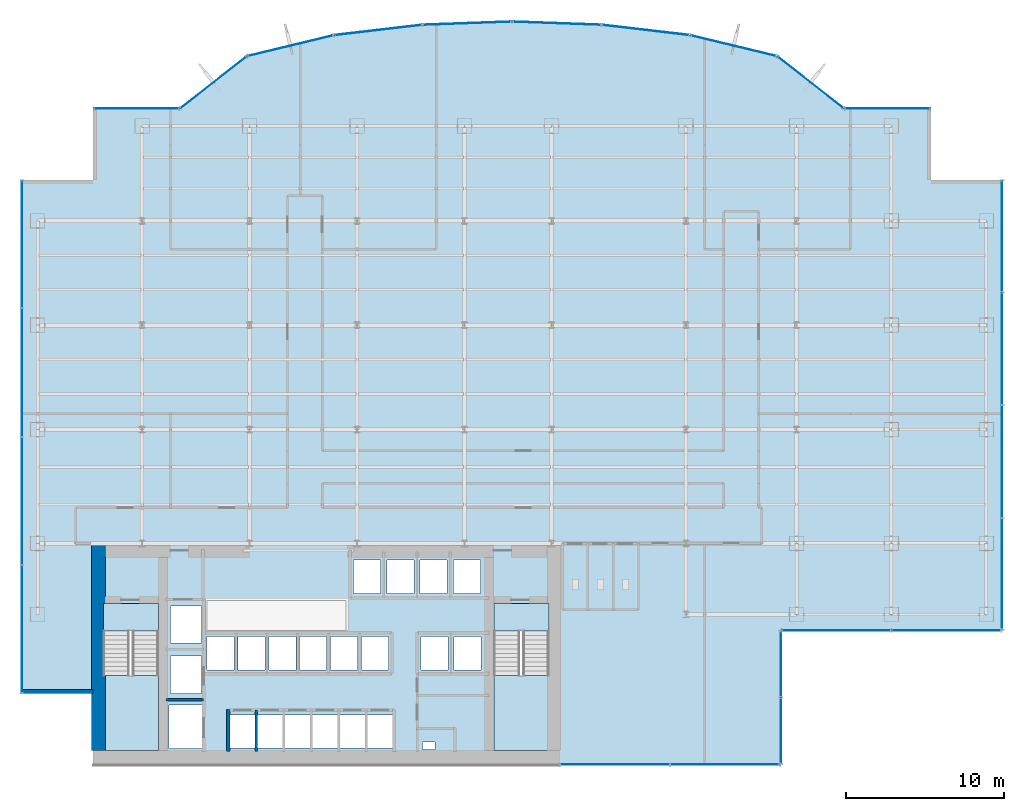
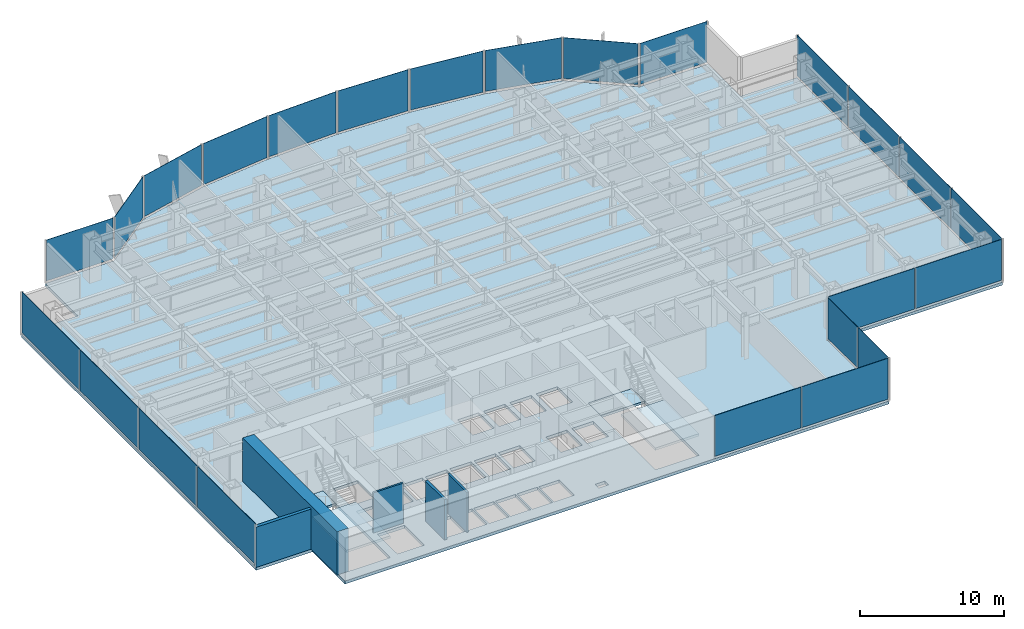
# One storey, part 16 of 22: 24 plates, 5 slabs, 5 walls, 17 elements without a shape of their own.
"""IFC4 building model written with IfcOpenShell, lengths in metres."""

from ifc_helpers import new_model, si_unit, derived_unit, direction, frame, frame_2d, origin, origin_2d, place, context, subcontext, project, spatial, polyline, rectangle, outline, extrude, source, transform, mapped, material, layer, layer_set, type_object, element, aggregate, save


model = new_model("IFC4")

# Units and contexts
model_context = context("Model", 3, precision=1e-05, world=origin(), true_north=direction((0.0, 1.0)))
body_context = subcontext(model_context, "Body", "Model", "MODEL_VIEW")
ifc_project = project(units=[si_unit("LENGTHUNIT", "METRE"), si_unit("AREAUNIT", "SQUARE_METRE"), si_unit("VOLUMEUNIT", "CUBIC_METRE"), si_unit("PLANEANGLEUNIT", "RADIAN"), si_unit("MASSUNIT", "GRAM", prefix="KILO"), derived_unit("THERMALTRANSMITTANCEUNIT", [(si_unit("POWERUNIT", "WATT"), 1), (si_unit("LENGTHUNIT", "METRE"), -2), (si_unit("THERMODYNAMICTEMPERATUREUNIT", "KELVIN"), -1)])], contexts=[model_context])

# Site, building, storey
site_placement = place(None, origin())
site = spatial("IfcSite", under=ifc_project, at=site_placement, CompositionType="ELEMENT")
building_placement = place(site_placement, origin())
building = spatial("IfcBuilding", under=site, at=building_placement, Name="Skarnbrae Concourse Arena and Tower", CompositionType="ELEMENT")
storey_placement = place(building_placement, frame((0.0, 0.0, 58.050048828125)))
storey = spatial("IfcBuildingStorey", under=building, at=storey_placement, Name="L13", CompositionType="ELEMENT", Elevation=58.050048828125)

# Stair, slab
ifc_material_1 = material(Name="Concrete 40 MPa (C40/50)", Category="concrete")
stair_type = type_object("IfcStairType", Name="STAIR-DOGLEG-1650", PredefinedType="HALF_TURN_STAIR", material=ifc_material_1)
stair_1_placement = place(storey_placement, origin())
stair_1 = element("IfcStair", 1, at=stair_1_placement, inside=storey, type_object=stair_type, Name="L13 Protected Exit Stair ST-1", PredefinedType="HALF_TURN_STAIR")
ifc_layer_1 = layer(ifc_material_1, 0.199951171875)
ifc_layer_set_1 = layer_set([ifc_layer_1], Name="Concrete 40 MPa (C40/50)")
slab_type_1 = type_object("IfcSlabType", Name="SLAB-LANDING-200", PredefinedType="LANDING", material=ifc_layer_set_1)
slab_1_placement = place(storey_placement, frame((0.0, 0.0, 1.625)))
slab_1 = element("IfcSlab", 2, at=slab_1_placement, type_object=slab_type_1, Name="ST-1 landing 1", PredefinedType="LANDING", context=body_context, shape_type="SweptSolid", body=[
    extrude(outline(polyline([(5.14990234375, 5.64990234375), (5.14990234375, 0.89990234375), (8.64990234375, 0.89990234375), (8.64990234375, 5.64990234375), (5.14990234375, 5.64990234375)])), origin(), (0.0, 0.0, 1.0), 0.199951171875),
])
aggregate(stair_1, [slab_1])

stair_2_placement = place(storey_placement, origin())
stair_2 = element("IfcStair", 3, at=stair_2_placement, inside=storey, type_object=stair_type, Name="L13 Protected Exit Stair ST-2", PredefinedType="HALF_TURN_STAIR")
slab_2_placement = place(storey_placement, frame((0.0, 0.0, 1.625)))
slab_2 = element("IfcSlab", 4, at=slab_2_placement, type_object=slab_type_1, Name="ST-2 landing 1", PredefinedType="LANDING", context=body_context, shape_type="SweptSolid", body=[
    extrude(outline(polyline([(29.85009765625, 5.64990234375), (29.85009765625, 0.89990234375), (33.35009765625, 0.89990234375), (33.35009765625, 5.64990234375), (29.85009765625, 5.64990234375)])), origin(), (0.0, 0.0, 1.0), 0.199951171875),
])
aggregate(stair_2, [slab_2])

# Slabs
slab_3_placement = place(storey_placement, frame((0.0, 0.0, -0.199951171875)))
element("IfcSlab", 5, at=slab_3_placement, inside=storey, type_object=slab_type_1, Name="L13 Core stair ST1 floor landing", PredefinedType="LANDING", context=body_context, shape_type="SweptSolid", body=[
    extrude(outline(polyline([(5.14990234375, 10.199951171875), (5.14990234375, 8.449951171875), (8.64990234375, 8.449951171875), (8.64990234375, 10.199951171875), (5.14990234375, 10.199951171875)])), origin(), (0.0, 0.0, 1.0), 0.199951171875),
])
slab_4_placement = place(storey_placement, frame((0.0, 0.0, -0.199951171875)))
element("IfcSlab", 6, at=slab_4_placement, inside=storey, type_object=slab_type_1, Name="L13 Core stair ST2 floor landing", PredefinedType="LANDING", context=body_context, shape_type="SweptSolid", body=[
    extrude(outline(polyline([(29.85009765625, 10.199951171875), (29.85009765625, 8.449951171875), (33.35009765625, 8.449951171875), (33.35009765625, 10.199951171875), (29.85009765625, 10.199951171875)])), origin(), (0.0, 0.0, 1.0), 0.199951171875),
])
ifc_layer_2 = layer(ifc_material_1, 0.25)
ifc_layer_set_2 = layer_set([ifc_layer_2], Name="Concrete 40 MPa (C40/50)")
slab_type_2 = type_object("IfcSlabType", Name="SLAB-TOWER-250", PredefinedType="FLOOR", material=ifc_layer_set_2)
slab_5_placement = place(storey_placement, frame((0.0, 0.0, -0.25)))
element("IfcSlab", 7, at=slab_5_placement, inside=storey, type_object=slab_type_2, Name="L13 Structural floor slab", PredefinedType="FLOOR", context=body_context, shape_type="SweptSolid", body=[
    extrude(outline(polyline([(4.5, 0.0), (48.0, 0.0), (48.0, 8.5), (62.0, 8.5), (62.0, 37.0), (57.5, 37.0), (57.5, 41.5), (52.0, 41.5), (47.766357421875, 44.811767578125), (42.2724609375, 46.140380859375), (36.65380859375, 46.796875), (31.0, 47.0), (25.34619140625, 46.796875), (19.7275390625, 46.140380859375), (14.233642578125, 44.811767578125), (10.0, 41.5), (4.5, 41.5), (4.5, 37.0), (0.0, 37.0), (0.0, 4.5), (4.5, 4.5), (4.5, 0.0)]), holes=[polyline([(13.14501953125, 3.155029296875), (14.7548828125, 3.155029296875), (14.7548828125, 1.044921875), (13.14501953125, 1.044921875), (13.14501953125, 3.155029296875)]), polyline([(16.4951171875, 3.155029296875), (16.4951171875, 1.044921875), (14.885009765625, 1.044921875), (14.885009765625, 3.155029296875), (16.4951171875, 3.155029296875)]), polyline([(18.235107421875, 3.155029296875), (18.235107421875, 1.044921875), (16.625, 1.044921875), (16.625, 3.155029296875), (18.235107421875, 3.155029296875)]), polyline([(18.364990234375, 3.155029296875), (19.97509765625, 3.155029296875), (19.97509765625, 1.044921875), (18.364990234375, 1.044921875), (18.364990234375, 3.155029296875)]), polyline([(11.455078125, 3.780029296875), (11.455078125, 1.02001953125), (9.294921875, 1.02001953125), (9.294921875, 3.780029296875), (11.455078125, 3.780029296875)]), polyline([(8.64990234375, 0.89990234375), (5.14990234375, 0.89990234375), (5.14990234375, 10.199951171875), (8.64990234375, 10.199951171875), (8.64990234375, 0.89990234375)]), polyline([(9.39501953125, 6.8798828125), (11.35498046875, 6.8798828125), (11.35498046875, 4.52001953125), (9.39501953125, 4.52001953125), (9.39501953125, 6.8798828125)]), polyline([(13.429931640625, 8.10498046875), (13.429931640625, 5.9951171875), (11.719970703125, 5.9951171875), (11.719970703125, 8.10498046875), (13.429931640625, 8.10498046875)]), polyline([(15.3798828125, 8.10498046875), (15.3798828125, 5.9951171875), (13.669921875, 5.9951171875), (13.669921875, 8.10498046875), (15.3798828125, 8.10498046875)]), polyline([(15.6201171875, 8.10498046875), (17.330078125, 8.10498046875), (17.330078125, 5.9951171875), (15.6201171875, 5.9951171875), (15.6201171875, 8.10498046875)]), polyline([(19.280029296875, 8.10498046875), (19.280029296875, 5.9951171875), (17.570068359375, 5.9951171875), (17.570068359375, 8.10498046875), (19.280029296875, 8.10498046875)]), polyline([(11.35498046875, 10.054931640625), (11.35498046875, 7.695068359375), (9.39501953125, 7.695068359375), (9.39501953125, 10.054931640625), (11.35498046875, 10.054931640625)]), polyline([(25.35009765625, 1.449951171875), (26.1201171875, 1.449951171875), (26.1201171875, 0.949951171875), (25.35009765625, 0.949951171875), (25.35009765625, 1.449951171875)]), polyline([(21.715087890625, 3.155029296875), (21.715087890625, 1.044921875), (20.10498046875, 1.044921875), (20.10498046875, 3.155029296875), (21.715087890625, 3.155029296875)]), polyline([(23.455078125, 3.155029296875), (23.455078125, 1.044921875), (21.844970703125, 1.044921875), (21.844970703125, 3.155029296875), (23.455078125, 3.155029296875)]), polyline([(33.35009765625, 10.199951171875), (33.35009765625, 0.89990234375), (29.85009765625, 0.89990234375), (29.85009765625, 10.199951171875), (33.35009765625, 10.199951171875)]), polyline([(21.22998046875, 8.10498046875), (21.22998046875, 5.9951171875), (19.52001953125, 5.9951171875), (19.52001953125, 8.10498046875), (21.22998046875, 8.10498046875)]), polyline([(23.179931640625, 8.10498046875), (23.179931640625, 5.9951171875), (21.469970703125, 5.9951171875), (21.469970703125, 8.10498046875), (23.179931640625, 8.10498046875)]), polyline([(25.235107421875, 8.10498046875), (26.945068359375, 8.10498046875), (26.945068359375, 5.9951171875), (25.235107421875, 5.9951171875), (25.235107421875, 8.10498046875)]), polyline([(29.044921875, 8.10498046875), (29.044921875, 5.9951171875), (27.3349609375, 5.9951171875), (27.3349609375, 8.10498046875), (29.044921875, 8.10498046875)]), polyline([(22.695068359375, 12.955078125), (22.695068359375, 10.844970703125), (20.985107421875, 10.844970703125), (20.985107421875, 12.955078125), (22.695068359375, 12.955078125)]), polyline([(23.0849609375, 12.955078125), (24.794921875, 12.955078125), (24.794921875, 10.844970703125), (23.0849609375, 10.844970703125), (23.0849609375, 12.955078125)]), polyline([(26.89501953125, 12.955078125), (26.89501953125, 10.844970703125), (25.18505859375, 10.844970703125), (25.18505859375, 12.955078125), (26.89501953125, 12.955078125)]), polyline([(28.9951171875, 12.955078125), (28.9951171875, 10.844970703125), (27.284912109375, 10.844970703125), (27.284912109375, 12.955078125), (28.9951171875, 12.955078125)])]), origin(), (0.0, 0.0, 1.0), 0.25),
])

# Curtain wall, plates
ifc_material_2 = material(Name="Bronze anodised aluminium 6063-T6", Category="aluminium")
curtain_wall_type_1 = type_object("IfcCurtainWallType", Name="CW-SYS-02-LOWZONE", PredefinedType="USERDEFINED", material=ifc_material_2)
curtain_wall_1_placement = place(storey_placement, origin())
curtain_wall_1 = element("IfcCurtainWall", 8, at=curtain_wall_1_placement, inside=storey, type_object=curtain_wall_type_1, Name="L13 Unitised curtain wall CW-L13-SE-SPINE", ObjectType="UNITISED CURTAIN WALL", PredefinedType="USERDEFINED")
ifc_material_3 = material(Name="Low-E triple insulating glass", Category="glass")
ifc_layer_3 = layer(ifc_material_3, 0.031982421875)
ifc_layer_set_3 = layer_set([ifc_layer_3], Name="Low-E triple insulating glass")
plate_type_1 = type_object("IfcPlateType", Name="CWP-CW-02", PredefinedType="CURTAIN_PANEL", material=ifc_layer_set_3)
shared_shape_1 = source(origin(), body_context, "Body", "SweptSolid", [
    extrude(rectangle(XDim=6.8798828125, YDim=0.031982421875, at=origin_2d()), origin(), (0.0, 0.0, 1.0), 3.4599609375),
])
plate_1_placement = place(storey_placement, frame((37.52001953125, 0.0, 0.18994140625), z_axis=(0.0, 0.0, 1.0), x_axis=(1.0, 0.0, 0.0)))
plate_1 = element("IfcPlate", 9, at=plate_1_placement, type_object=plate_type_1, Name="CW-L13-SE-SPINE Low-E Glazing Panel 1", PredefinedType="CURTAIN_PANEL", context=body_context, shape_type="MappedRepresentation", body=[
    mapped(shared_shape_1, transform((0.0, 0.0, 0.0))),
])
plate_2_placement = place(storey_placement, frame((44.47998046875, 0.0, 0.18994140625), z_axis=(0.0, 0.0, 1.0), x_axis=(1.0, 0.0, 0.0)))
plate_2 = element("IfcPlate", 10, at=plate_2_placement, type_object=plate_type_1, Name="CW-L13-SE-SPINE Low-E Glazing Panel 2", PredefinedType="CURTAIN_PANEL", context=body_context, shape_type="MappedRepresentation", body=[
    mapped(shared_shape_1, transform((0.0, 0.0, 0.0))),
])
aggregate(curtain_wall_1, [plate_1, plate_2])

curtain_wall_2_placement = place(storey_placement, origin())
curtain_wall_2 = element("IfcCurtainWall", 11, at=curtain_wall_2_placement, inside=storey, type_object=curtain_wall_type_1, Name="L13 Unitised curtain wall CW-L13-E03", ObjectType="UNITISED CURTAIN WALL", PredefinedType="USERDEFINED")
plate_3_placement = place(storey_placement, frame((51.52001953125, 8.5, 0.18994140625), z_axis=(0.0, 0.0, 1.0), x_axis=(1.0, 0.0, 0.0)))
plate_3 = element("IfcPlate", 12, at=plate_3_placement, type_object=plate_type_1, Name="CW-L13-E03 Low-E Glazing Panel 1", PredefinedType="CURTAIN_PANEL", context=body_context, shape_type="MappedRepresentation", body=[
    mapped(shared_shape_1, transform((0.0, 0.0, 0.0))),
])
plate_4_placement = place(storey_placement, frame((58.47998046875, 8.5, 0.18994140625), z_axis=(0.0, 0.0, 1.0), x_axis=(1.0, 0.0, 0.0)))
plate_4 = element("IfcPlate", 13, at=plate_4_placement, type_object=plate_type_1, Name="CW-L13-E03 Low-E Glazing Panel 2", PredefinedType="CURTAIN_PANEL", context=body_context, shape_type="MappedRepresentation", body=[
    mapped(shared_shape_1, transform((0.0, 0.0, 0.0))),
])
aggregate(curtain_wall_2, [plate_3, plate_4])

curtain_wall_3_placement = place(storey_placement, origin())
curtain_wall_3 = element("IfcCurtainWall", 14, at=curtain_wall_3_placement, inside=storey, type_object=curtain_wall_type_1, Name="L13 Unitised curtain wall CW-L13-E02", ObjectType="UNITISED CURTAIN WALL", PredefinedType="USERDEFINED")
shared_shape_2 = source(origin(), body_context, "Body", "SweptSolid", [
    extrude(rectangle(XDim=4.1298828125, YDim=0.031982421875, at=origin_2d()), origin(), (0.0, 0.0, 1.0), 3.4599609375),
])
plate_5_placement = place(storey_placement, frame((48.0, 2.14501953125, 0.18994140625), z_axis=(0.0, 0.0, 1.0), x_axis=(0.0, 1.0, 0.0)))
plate_5 = element("IfcPlate", 15, at=plate_5_placement, type_object=plate_type_1, Name="CW-L13-E02 Low-E Glazing Panel 1", PredefinedType="CURTAIN_PANEL", context=body_context, shape_type="MappedRepresentation", body=[
    mapped(shared_shape_2, transform((0.0, 0.0, 0.0))),
])
plate_6_placement = place(storey_placement, frame((48.0, 6.35498046875, 0.18994140625), z_axis=(0.0, 0.0, 1.0), x_axis=(0.0, 1.0, 0.0)))
plate_6 = element("IfcPlate", 16, at=plate_6_placement, type_object=plate_type_1, Name="CW-L13-E02 Low-E Glazing Panel 2", PredefinedType="CURTAIN_PANEL", context=body_context, shape_type="MappedRepresentation", body=[
    mapped(shared_shape_2, transform((0.0, 0.0, 0.0))),
])
aggregate(curtain_wall_3, [plate_5, plate_6])

curtain_wall_4_placement = place(storey_placement, origin())
curtain_wall_4 = element("IfcCurtainWall", 17, at=curtain_wall_4_placement, inside=storey, type_object=curtain_wall_type_1, Name="L13 Unitised curtain wall CW-L13-E04", ObjectType="UNITISED CURTAIN WALL", PredefinedType="USERDEFINED")
shared_shape_3 = source(origin(), body_context, "Body", "SweptSolid", [
    extrude(rectangle(XDim=7.0048828125, YDim=0.031982421875, at=origin_2d()), origin(), (0.0, 0.0, 1.0), 3.4599609375),
])
plate_7_placement = place(storey_placement, frame((62.0, 12.08251953125, 0.18994140625), z_axis=(0.0, 0.0, 1.0), x_axis=(0.0, 1.0, 0.0)))
plate_7 = element("IfcPlate", 18, at=plate_7_placement, type_object=plate_type_1, Name="CW-L13-E04 Low-E Glazing Panel 1", PredefinedType="CURTAIN_PANEL", context=body_context, shape_type="MappedRepresentation", body=[
    mapped(shared_shape_3, transform((0.0, 0.0, 0.0))),
])
plate_8_placement = place(storey_placement, frame((62.0, 33.41748046875, 0.18994140625), z_axis=(0.0, 0.0, 1.0), x_axis=(0.0, 1.0, 0.0)))
plate_8 = element("IfcPlate", 19, at=plate_8_placement, type_object=plate_type_1, Name="CW-L13-E04 Low-E Glazing Panel 4", PredefinedType="CURTAIN_PANEL", context=body_context, shape_type="MappedRepresentation", body=[
    mapped(shared_shape_3, transform((0.0, 0.0, 0.0))),
])
shared_shape_4 = source(origin(), body_context, "Body", "SweptSolid", [
    extrude(rectangle(XDim=7.044921875, YDim=0.031982421875, at=origin_2d()), origin(), (0.0, 0.0, 1.0), 3.4599609375),
])
plate_9_placement = place(storey_placement, frame((62.0, 19.1875, 0.18994140625), z_axis=(0.0, 0.0, 1.0), x_axis=(0.0, 1.0, 0.0)))
plate_9 = element("IfcPlate", 20, at=plate_9_placement, type_object=plate_type_1, Name="CW-L13-E04 Low-E Glazing Panel 2", PredefinedType="CURTAIN_PANEL", context=body_context, shape_type="MappedRepresentation", body=[
    mapped(shared_shape_4, transform((0.0, 0.0, 0.0))),
])
plate_10_placement = place(storey_placement, frame((62.0, 26.3125, 0.18994140625), z_axis=(0.0, 0.0, 1.0), x_axis=(0.0, 1.0, 0.0)))
plate_10 = element("IfcPlate", 21, at=plate_10_placement, type_object=plate_type_1, Name="CW-L13-E04 Low-E Glazing Panel 3", PredefinedType="CURTAIN_PANEL", context=body_context, shape_type="MappedRepresentation", body=[
    mapped(shared_shape_4, transform((0.0, 0.0, 0.0))),
])
aggregate(curtain_wall_4, [plate_7, plate_9, plate_10, plate_8])

# Curtain wall, plate
curtain_wall_5_placement = place(storey_placement, origin())
curtain_wall_5 = element("IfcCurtainWall", 22, at=curtain_wall_5_placement, inside=storey, type_object=curtain_wall_type_1, Name="L13 Unitised curtain wall CW-L13-E07", ObjectType="UNITISED CURTAIN WALL", PredefinedType="USERDEFINED")
shared_shape_5 = source(origin(), body_context, "Body", "SweptSolid", [
    extrude(rectangle(XDim=5.340087890625, YDim=0.031982421875, at=origin_2d()), origin(), (0.0, 0.0, 1.0), 3.4599609375),
])
plate_11_placement = place(storey_placement, frame((54.75, 41.5, 0.18994140625), z_axis=(0.0, 0.0, 1.0), x_axis=(-1.0, 0.0, 0.0)))
plate_11 = element("IfcPlate", 23, at=plate_11_placement, type_object=plate_type_1, Name="CW-L13-E07 Low-E Glazing Panel 1", PredefinedType="CURTAIN_PANEL", context=body_context, shape_type="MappedRepresentation", body=[
    mapped(shared_shape_5, transform((0.0, 0.0, 0.0))),
])
aggregate(curtain_wall_5, [plate_11])

curtain_wall_6_placement = place(storey_placement, origin())
curtain_wall_6 = element("IfcCurtainWall", 24, at=curtain_wall_6_placement, inside=storey, type_object=curtain_wall_type_1, Name="L13 Unitised curtain wall CW-L13-E16", ObjectType="UNITISED CURTAIN WALL", PredefinedType="USERDEFINED")
plate_12_placement = place(storey_placement, frame((7.25, 41.5, 0.18994140625), z_axis=(0.0, 0.0, 1.0), x_axis=(-1.0, 0.0, 0.0)))
plate_12 = element("IfcPlate", 25, at=plate_12_placement, type_object=plate_type_1, Name="CW-L13-E16 Low-E Glazing Panel 1", PredefinedType="CURTAIN_PANEL", context=body_context, shape_type="MappedRepresentation", body=[
    mapped(shared_shape_5, transform((0.0, 0.0, 0.0))),
])
aggregate(curtain_wall_6, [plate_12])

curtain_wall_7_placement = place(storey_placement, origin())
curtain_wall_7 = element("IfcCurtainWall", 26, at=curtain_wall_7_placement, inside=storey, type_object=curtain_wall_type_1, Name="L13 Unitised curtain wall CW-L13-E08", ObjectType="UNITISED CURTAIN WALL", PredefinedType="USERDEFINED")
shared_shape_6 = source(origin(), body_context, "Body", "SweptSolid", [
    extrude(rectangle(XDim=5.215087890625, YDim=0.031982421875, at=origin_2d()), origin(), (0.0, 0.0, 1.0), 3.4599609375),
])
plate_13_placement = place(storey_placement, frame((49.88330078125, 43.156005859375, 0.18994140625), z_axis=(0.0, 0.0, 1.0), x_axis=(-0.787651726054, 0.616120733658, 0.0)))
plate_13 = element("IfcPlate", 27, at=plate_13_placement, type_object=plate_type_1, Name="CW-L13-E08 Low-E Glazing Panel 1", PredefinedType="CURTAIN_PANEL", context=body_context, shape_type="MappedRepresentation", body=[
    mapped(shared_shape_6, transform((0.0, 0.0, 0.0))),
])
aggregate(curtain_wall_7, [plate_13])

curtain_wall_8_placement = place(storey_placement, origin())
curtain_wall_8 = element("IfcCurtainWall", 28, at=curtain_wall_8_placement, inside=storey, type_object=curtain_wall_type_1, Name="L13 Unitised curtain wall CW-L13-E15", ObjectType="UNITISED CURTAIN WALL", PredefinedType="USERDEFINED")
plate_14_placement = place(storey_placement, frame((12.11669921875, 43.156005859375, 0.18994140625), z_axis=(0.0, 0.0, 1.0), x_axis=(-0.787651726054, -0.616120733658, 0.0)))
plate_14 = element("IfcPlate", 29, at=plate_14_placement, type_object=plate_type_1, Name="CW-L13-E15 Low-E Glazing Panel 1", PredefinedType="CURTAIN_PANEL", context=body_context, shape_type="MappedRepresentation", body=[
    mapped(shared_shape_6, transform((0.0, 0.0, 0.0))),
])
aggregate(curtain_wall_8, [plate_14])

curtain_wall_9_placement = place(storey_placement, origin())
curtain_wall_9 = element("IfcCurtainWall", 30, at=curtain_wall_9_placement, inside=storey, type_object=curtain_wall_type_1, Name="L13 Unitised curtain wall CW-L13-E09", ObjectType="UNITISED CURTAIN WALL", PredefinedType="USERDEFINED")
shared_shape_7 = source(origin(), body_context, "Body", "SweptSolid", [
    extrude(rectangle(XDim=5.4921875, YDim=0.031982421875, at=origin_2d()), origin(), (0.0, 0.0, 1.0), 3.4599609375),
])
plate_15_placement = place(storey_placement, frame((45.019287109375, 45.47607421875, 0.18994140625), z_axis=(0.0, 0.0, 1.0), x_axis=(-0.971973721569, 0.235089524607, 0.0)))
plate_15 = element("IfcPlate", 31, at=plate_15_placement, type_object=plate_type_1, Name="CW-L13-E09 Low-E Glazing Panel 1", PredefinedType="CURTAIN_PANEL", context=body_context, shape_type="MappedRepresentation", body=[
    mapped(shared_shape_7, transform((0.0, 0.0, 0.0))),
])
aggregate(curtain_wall_9, [plate_15])

curtain_wall_10_placement = place(storey_placement, origin())
curtain_wall_10 = element("IfcCurtainWall", 32, at=curtain_wall_10_placement, inside=storey, type_object=curtain_wall_type_1, Name="L13 Unitised curtain wall CW-L13-E14", ObjectType="UNITISED CURTAIN WALL", PredefinedType="USERDEFINED")
plate_16_placement = place(storey_placement, frame((16.980712890625, 45.47607421875, 0.18994140625), z_axis=(0.0, 0.0, 1.0), x_axis=(-0.971973721569, -0.235089524607, 0.0)))
plate_16 = element("IfcPlate", 33, at=plate_16_placement, type_object=plate_type_1, Name="CW-L13-E14 Low-E Glazing Panel 1", PredefinedType="CURTAIN_PANEL", context=body_context, shape_type="MappedRepresentation", body=[
    mapped(shared_shape_7, transform((0.0, 0.0, 0.0))),
])
aggregate(curtain_wall_10, [plate_16])

# Curtain wall, plates
curtain_wall_11_placement = place(storey_placement, origin())
curtain_wall_11 = element("IfcCurtainWall", 34, at=curtain_wall_11_placement, inside=storey, type_object=curtain_wall_type_1, Name="L13 Unitised curtain wall CW-L13-E19", ObjectType="UNITISED CURTAIN WALL", PredefinedType="USERDEFINED")
shared_shape_8 = source(origin(), body_context, "Body", "SweptSolid", [
    extrude(rectangle(XDim=8.0048828125, YDim=0.031982421875, at=origin_2d()), origin(), (0.0, 0.0, 1.0), 3.4599609375),
])
plate_17_placement = place(storey_placement, frame((0.0, 32.91748046875, 0.18994140625), z_axis=(0.0, 0.0, 1.0), x_axis=(0.0, -1.0, 0.0)))
plate_17 = element("IfcPlate", 35, at=plate_17_placement, type_object=plate_type_1, Name="CW-L13-E19 Low-E Glazing Panel 1", PredefinedType="CURTAIN_PANEL", context=body_context, shape_type="MappedRepresentation", body=[
    mapped(shared_shape_8, transform((0.0, 0.0, 0.0))),
])
plate_18_placement = place(storey_placement, frame((0.0, 8.58251953125, 0.18994140625), z_axis=(0.0, 0.0, 1.0), x_axis=(0.0, -1.0, 0.0)))
plate_18 = element("IfcPlate", 36, at=plate_18_placement, type_object=plate_type_1, Name="CW-L13-E19 Low-E Glazing Panel 4", PredefinedType="CURTAIN_PANEL", context=body_context, shape_type="MappedRepresentation", body=[
    mapped(shared_shape_8, transform((0.0, 0.0, 0.0))),
])
shared_shape_9 = source(origin(), body_context, "Body", "SweptSolid", [
    extrude(rectangle(XDim=8.044921875, YDim=0.031982421875, at=origin_2d()), origin(), (0.0, 0.0, 1.0), 3.4599609375),
])
plate_19_placement = place(storey_placement, frame((0.0, 24.8125, 0.18994140625), z_axis=(0.0, 0.0, 1.0), x_axis=(0.0, -1.0, 0.0)))
plate_19 = element("IfcPlate", 37, at=plate_19_placement, type_object=plate_type_1, Name="CW-L13-E19 Low-E Glazing Panel 2", PredefinedType="CURTAIN_PANEL", context=body_context, shape_type="MappedRepresentation", body=[
    mapped(shared_shape_9, transform((0.0, 0.0, 0.0))),
])
plate_20_placement = place(storey_placement, frame((0.0, 16.6875, 0.18994140625), z_axis=(0.0, 0.0, 1.0), x_axis=(0.0, -1.0, 0.0)))
plate_20 = element("IfcPlate", 38, at=plate_20_placement, type_object=plate_type_1, Name="CW-L13-E19 Low-E Glazing Panel 3", PredefinedType="CURTAIN_PANEL", context=body_context, shape_type="MappedRepresentation", body=[
    mapped(shared_shape_9, transform((0.0, 0.0, 0.0))),
])
aggregate(curtain_wall_11, [plate_17, plate_19, plate_20, plate_18])

# Curtain wall, plate
curtain_wall_type_2 = type_object("IfcCurtainWallType", Name="CW-SYS-03-PORTAL", PredefinedType="USERDEFINED", material=ifc_material_2)
curtain_wall_12_placement = place(storey_placement, origin())
curtain_wall_12 = element("IfcCurtainWall", 39, at=curtain_wall_12_placement, inside=storey, type_object=curtain_wall_type_2, Name="L13 Unitised curtain wall CW-L13-E10", ObjectType="UNITISED CURTAIN WALL", PredefinedType="USERDEFINED")
ifc_layer_4 = layer(ifc_material_3, 0.033935546875)
ifc_layer_set_4 = layer_set([ifc_layer_4], Name="Low-E triple insulating glass")
plate_type_2 = type_object("IfcPlateType", Name="CWP-CW-03", PredefinedType="CURTAIN_PANEL", material=ifc_layer_set_4)
shared_shape_10 = source(origin(), body_context, "Body", "SweptSolid", [
    extrude(rectangle(XDim=5.49658203125, YDim=0.033935546875, at=origin_2d()), origin(), (0.0, 0.0, 1.0), 3.47998046875),
])
plate_21_placement = place(storey_placement, frame((39.463134765625, 46.46875, 0.169921875), z_axis=(0.0, 0.0, 1.0), x_axis=(-0.99324457001, 0.116039752435, 0.0)))
plate_21 = element("IfcPlate", 40, at=plate_21_placement, type_object=plate_type_2, Name="CW-L13-E10 Low-E Glazing Panel 1", PredefinedType="CURTAIN_PANEL", context=body_context, shape_type="MappedRepresentation", body=[
    mapped(shared_shape_10, transform((0.0, 0.0, 0.0))),
])
aggregate(curtain_wall_12, [plate_21])

curtain_wall_13_placement = place(storey_placement, origin())
curtain_wall_13 = element("IfcCurtainWall", 41, at=curtain_wall_13_placement, inside=storey, type_object=curtain_wall_type_2, Name="L13 Unitised curtain wall CW-L13-E13", ObjectType="UNITISED CURTAIN WALL", PredefinedType="USERDEFINED")
plate_22_placement = place(storey_placement, frame((22.536865234375, 46.46875, 0.169921875), z_axis=(0.0, 0.0, 1.0), x_axis=(-0.99324457001, -0.116039752435, 0.0)))
plate_22 = element("IfcPlate", 42, at=plate_22_placement, type_object=plate_type_2, Name="CW-L13-E13 Low-E Glazing Panel 1", PredefinedType="CURTAIN_PANEL", context=body_context, shape_type="MappedRepresentation", body=[
    mapped(shared_shape_10, transform((0.0, 0.0, 0.0))),
])
aggregate(curtain_wall_13, [plate_22])

curtain_wall_14_placement = place(storey_placement, origin())
curtain_wall_14 = element("IfcCurtainWall", 43, at=curtain_wall_14_placement, inside=storey, type_object=curtain_wall_type_2, Name="L13 Unitised curtain wall CW-L13-E11", ObjectType="UNITISED CURTAIN WALL", PredefinedType="USERDEFINED")
shared_shape_11 = source(origin(), body_context, "Body", "SweptSolid", [
    extrude(rectangle(XDim=5.49755859375, YDim=0.033935546875, at=origin_2d()), origin(), (0.0, 0.0, 1.0), 3.47998046875),
])
plate_23_placement = place(storey_placement, frame((33.826904296875, 46.8984375, 0.169921875), z_axis=(0.0, 0.0, 1.0), x_axis=(-0.999355425188, 0.035898943527, 0.0)))
plate_23 = element("IfcPlate", 44, at=plate_23_placement, type_object=plate_type_2, Name="CW-L13-E11 Low-E Glazing Panel 1", PredefinedType="CURTAIN_PANEL", context=body_context, shape_type="MappedRepresentation", body=[
    mapped(shared_shape_11, transform((0.0, 0.0, 0.0))),
])
aggregate(curtain_wall_14, [plate_23])

curtain_wall_15_placement = place(storey_placement, origin())
curtain_wall_15 = element("IfcCurtainWall", 45, at=curtain_wall_15_placement, inside=storey, type_object=curtain_wall_type_2, Name="L13 Unitised curtain wall CW-L13-E12", ObjectType="UNITISED CURTAIN WALL", PredefinedType="USERDEFINED")
plate_24_placement = place(storey_placement, frame((28.173095703125, 46.8984375, 0.169921875), z_axis=(0.0, 0.0, 1.0), x_axis=(-0.999355425188, -0.035898943527, 0.0)))
plate_24 = element("IfcPlate", 46, at=plate_24_placement, type_object=plate_type_2, Name="CW-L13-E12 Low-E Glazing Panel 1", PredefinedType="CURTAIN_PANEL", context=body_context, shape_type="MappedRepresentation", body=[
    mapped(shared_shape_11, transform((0.0, 0.0, 0.0))),
])
aggregate(curtain_wall_15, [plate_24])

# Walls
ifc_material_4 = material(Name="Concrete 70 MPa (C70/85)", Category="concrete")
ifc_layer_5 = layer(ifc_material_4, 0.89990234375)
ifc_layer_set_5 = layer_set([ifc_layer_5], Name="Concrete 70 MPa (C70/85)")
wall_type_1 = type_object("IfcWallType", Name="WALL-CORE-900-C70", PredefinedType="SHEAR", material=ifc_layer_set_5)
shared_shape_12 = source(origin(), body_context, "Body", "SweptSolid", [
    extrude(rectangle(XDim=13.10009765625, YDim=0.89990234375, at=frame_2d((6.550048828125, 0.0))), origin(), (0.0, 0.0, 1.0), 3.64990234375),
])
wall_1_placement = place(storey_placement, frame((4.85009765625, 0.89990234375, 0.0), z_axis=(0.0, 0.0, 1.0), x_axis=(0.0, 1.0, 0.0)))
element("IfcWall", 47, at=wall_1_placement, inside=storey, type_object=wall_type_1, Name="L13 Rear core shear wall CW-W", PredefinedType="SHEAR", context=body_context, shape_type="MappedRepresentation", body=[
    mapped(shared_shape_12, transform((0.0, 0.0, 0.0))),
])
ifc_material_5 = material(Name="Precast concrete 40 MPa (C40/50)", Category="concrete")
ifc_layer_6 = layer(ifc_material_5, 0.25)
ifc_layer_set_6 = layer_set([ifc_layer_6], Name="Precast concrete 40 MPa (C40/50)")
wall_type_2 = type_object("IfcWallType", Name="WALL-EXT-SPANDREL-250", PredefinedType="STANDARD", material=ifc_layer_set_6)
shared_shape_13 = source(origin(), body_context, "Body", "SweptSolid", [
    extrude(rectangle(XDim=4.5, YDim=0.25, at=frame_2d((2.25, 0.0))), origin(), (0.0, 0.0, 1.0), 3.39990234375),
])
wall_2_placement = place(storey_placement, frame((0.0, 4.625, 0.0), z_axis=(0.0, 0.0, 1.0), x_axis=(1.0, 0.0, 0.0)))
element("IfcWall", 48, at=wall_2_placement, inside=storey, type_object=wall_type_2, Name="L13 Notched corner insulated return wall 20", PredefinedType="STANDARD", context=body_context, shape_type="MappedRepresentation", body=[
    mapped(shared_shape_13, transform((0.0, 0.0, 0.0))),
])
ifc_material_6 = material(Name="Gypsum board on cold-formed steel studs", Category="steel")
ifc_layer_7 = layer(ifc_material_6, 0.14990234375)
ifc_layer_set_7 = layer_set([ifc_layer_7], Name="Gypsum board on cold-formed steel studs")
wall_type_3 = type_object("IfcWallType", Name="WALL-PART-150", PredefinedType="PARTITIONING", material=ifc_layer_set_7)
shared_shape_14 = source(origin(), body_context, "Body", "SweptSolid", [
    extrude(rectangle(XDim=2.39990234375, YDim=0.14990234375, at=frame_2d((1.199951171875, 0.0))), origin(), (0.0, 0.0, 1.0), 3.39990234375),
])
wall_3_placement = place(storey_placement, frame((9.10009765625, 4.10009765625, 0.0), z_axis=(0.0, 0.0, 1.0), x_axis=(1.0, 0.0, 0.0)))
element("IfcWall", 49, at=wall_3_placement, inside=storey, type_object=wall_type_3, Name="L13 Interior partition wall W-L13-FL-D1", PredefinedType="PARTITIONING", context=body_context, shape_type="MappedRepresentation", body=[
    mapped(shared_shape_14, transform((0.0, 0.0, 0.0))),
])
ifc_layer_8 = layer(ifc_material_6, 0.199951171875)
ifc_layer_set_8 = layer_set([ifc_layer_8], Name="Gypsum board on cold-formed steel studs")
wall_type_4 = type_object("IfcWallType", Name="WALL-PART-200-2HR", PredefinedType="PARTITIONING", material=ifc_layer_set_8)
shared_shape_15 = source(origin(), body_context, "Body", "SweptSolid", [
    extrude(rectangle(XDim=2.64990234375, YDim=0.199951171875, at=frame_2d((1.324951171875, 0.0))), origin(), (0.0, 0.0, 1.0), 3.39990234375),
])
wall_4_placement = place(storey_placement, frame((13.050048828125, 0.85009765625, 0.0), z_axis=(0.0, 0.0, 1.0), x_axis=(0.0, 1.0, 0.0)))
element("IfcWall", 50, at=wall_4_placement, inside=storey, type_object=wall_type_4, Name="L13 Interior partition wall W-L13-B1-W", PredefinedType="PARTITIONING", context=body_context, shape_type="MappedRepresentation", body=[
    mapped(shared_shape_15, transform((0.0, 0.0, 0.0))),
])
shared_shape_16 = source(origin(), body_context, "Body", "SweptSolid", [
    extrude(rectangle(XDim=2.599853515625, YDim=0.14990234375, at=frame_2d((1.2998046875, 0.0))), origin(), (0.0, 0.0, 1.0), 3.39990234375),
])
wall_5_placement = place(storey_placement, frame((14.820068359375, 0.85009765625, 0.0), z_axis=(0.0, 0.0, 1.0), x_axis=(0.0, 1.0, 0.0)))
element("IfcWall", 51, at=wall_5_placement, inside=storey, type_object=wall_type_3, Name="L13 Interior partition wall W-L13-B1-P1", PredefinedType="PARTITIONING", context=body_context, shape_type="MappedRepresentation", body=[
    mapped(shared_shape_16, transform((0.0, 0.0, 0.0))),
])

save(model, "model.ifc")
